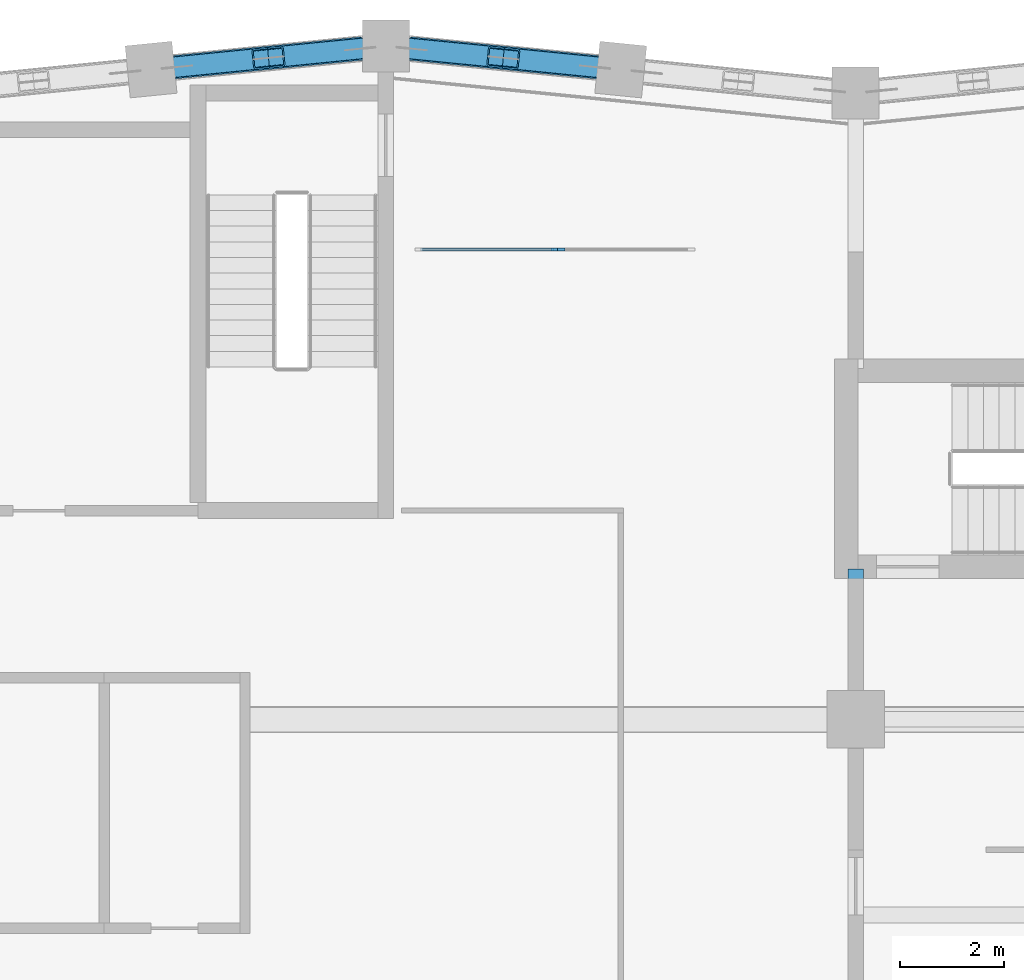
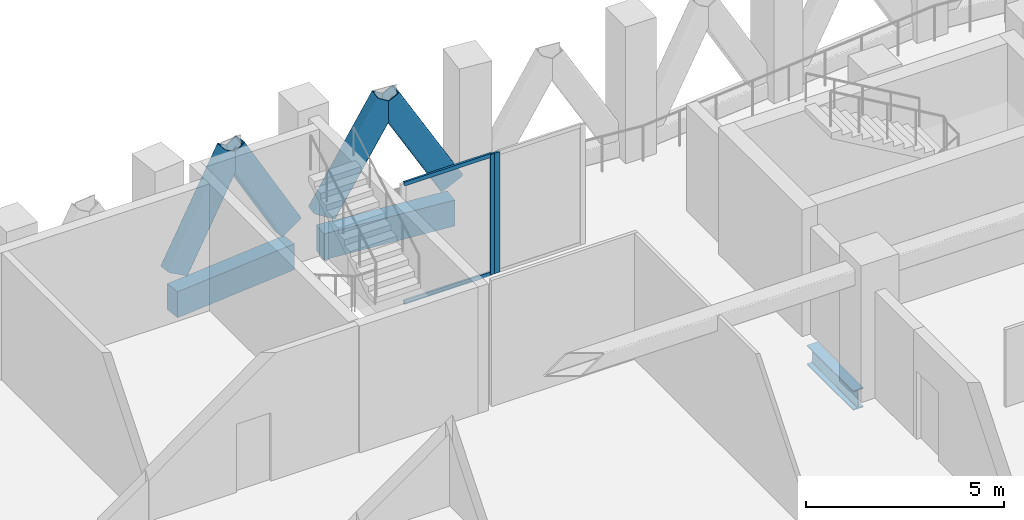
# One storey, part 6 of 18: 8 members, 3 beams, 2 elements without a shape of their own.
"""IFC4 building model written with IfcOpenShell, lengths in metres."""

from ifc_helpers import new_model, si_unit, direction, frame, origin, origin_2d, place, context, subcontext, project, spatial, rectangle, hollow_rectangle, i_section, extrude, material, material_profile, profile_set, type_object, element, aggregate, save


model = new_model("IFC4")

# Units and contexts
model_context = context("Model", 3, precision=1e-05, world=origin(), true_north=direction((0.0, 1.0)))
body_context = subcontext(model_context, "Body", "Model", "MODEL_VIEW")
ifc_project = project(units=[si_unit("LENGTHUNIT", "METRE"), si_unit("AREAUNIT", "SQUARE_METRE"), si_unit("VOLUMEUNIT", "CUBIC_METRE"), si_unit("PLANEANGLEUNIT", "RADIAN"), si_unit("MASSUNIT", "GRAM", prefix="KILO")], contexts=[model_context])

# Site, building, storey
site_placement = place(None, origin())
site = spatial("IfcSite", under=ifc_project, at=site_placement, CompositionType="ELEMENT")
building_placement = place(site_placement, origin())
building = spatial("IfcBuilding", under=site, at=building_placement, Name="Brondeck Convention Tower", CompositionType="ELEMENT")
storey_placement = place(building_placement, frame((0.0, 0.0, 248.199951171875)))
storey = spatial("IfcBuildingStorey", under=building, at=storey_placement, Name="L61", CompositionType="ELEMENT", Elevation=248.199951171875)

# Curtain wall, member
ifc_material_1 = material(Name="Aluminium, bronze anodised", Category="aluminium")
curtain_wall_type = type_object("IfcCurtainWallType", Name="Band enclosure curtain wall", PredefinedType="NOTDEFINED", material=ifc_material_1)
curtain_wall_1_placement = place(storey_placement, origin())
curtain_wall_1 = element("IfcCurtainWall", 1, at=curtain_wall_1_placement, inside=storey, type_object=curtain_wall_type, Name="ENV-L61-001-CW50", PredefinedType="NOTDEFINED")
ifc_material_profile_1 = material_profile(ifc_material_1, rectangle(XDim=0.06005859375, YDim=0.14990234375, at=origin_2d()), Name="CW5 mullion")
ifc_profile_set_1 = profile_set([ifc_material_profile_1], Name="Aluminium, bronze anodised")
member_type_1 = type_object("IfcMemberType", Name="CW5 mullion", PredefinedType="MULLION", material=ifc_profile_set_1)
member_1_placement = place(storey_placement, frame((30.360107421875, 60.0, 0.0), z_axis=(0.0, 0.0, 1.0), x_axis=(0.0, 1.0, 0.0)))
member_1 = element("IfcMember", 2, at=member_1_placement, type_object=member_type_1, Name="CW5 mullion 1", PredefinedType="MULLION", context=body_context, shape_type="SweptSolid", body=[
    extrude(rectangle(XDim=0.06005859375, YDim=0.14990234375, at=origin_2d()), origin(), (0.0, 0.0, 1.0), 3.699951171875),
])
aggregate(curtain_wall_1, [member_1])

# Curtain wall, members
curtain_wall_2_placement = place(storey_placement, origin())
curtain_wall_2 = element("IfcCurtainWall", 3, at=curtain_wall_2_placement, inside=storey, type_object=curtain_wall_type, Name="ENV-L61-001-CW51", PredefinedType="NOTDEFINED")
member_2_placement = place(storey_placement, frame((30.239990234375, 60.0, 0.0), z_axis=(0.0, 0.0, 1.0), x_axis=(0.0, 1.0, 0.0)))
member_2 = element("IfcMember", 4, at=member_2_placement, type_object=member_type_1, Name="CW5 mullion 2", PredefinedType="MULLION", context=body_context, shape_type="SweptSolid", body=[
    extrude(rectangle(XDim=0.06005859375, YDim=0.14990234375, at=origin_2d()), origin(), (0.0, 0.0, 1.0), 3.699951171875),
])
ifc_material_profile_2 = material_profile(ifc_material_1, rectangle(XDim=0.06005859375, YDim=0.1201171875, at=origin_2d()), Name="CW5 transom")
ifc_profile_set_2 = profile_set([ifc_material_profile_2], Name="Aluminium, bronze anodised")
member_type_2 = type_object("IfcMemberType", Name="CW5 transom", PredefinedType="USERDEFINED", material=ifc_profile_set_2)
member_3_placement = place(storey_placement, frame((27.659912109375, 60.0, 0.030029296875), z_axis=(1.0, 0.0, 0.0), x_axis=(0.0, 1.0, 0.0)))
member_3 = element("IfcMember", 5, at=member_3_placement, type_object=member_type_2, Name="CW5 transom 1.1", ObjectType="TRANSOM", PredefinedType="USERDEFINED", context=body_context, shape_type="SweptSolid", body=[
    extrude(rectangle(XDim=0.06005859375, YDim=0.1201171875, at=origin_2d()), origin(), (0.0, 0.0, 1.0), 2.550048828125),
])
member_4_placement = place(storey_placement, frame((27.659912109375, 60.0, 3.670166015625), z_axis=(1.0, 0.0, 0.0), x_axis=(0.0, 1.0, 0.0)))
member_4 = element("IfcMember", 6, at=member_4_placement, type_object=member_type_2, Name="CW5 transom 1.2", ObjectType="TRANSOM", PredefinedType="USERDEFINED", context=body_context, shape_type="SweptSolid", body=[
    extrude(rectangle(XDim=0.06005859375, YDim=0.1201171875, at=origin_2d()), origin(), (0.0, 0.0, 1.0), 2.550048828125),
])
aggregate(curtain_wall_2, [member_2, member_3, member_4])

# Members
ifc_material_2 = material(Name="Steel S460", Category="steel")
ifc_material_profile_3 = material_profile(ifc_material_2, hollow_rectangle(XDim=0.39990234375, YDim=0.699951171875, WallThickness=0.030029296875, InnerFilletRadius=0.030029296875, OuterFilletRadius=0.06005859375, at=origin_2d()), Name="RHS 700x400x30")
ifc_profile_set_3 = profile_set([ifc_material_profile_3], Name="Steel S460")
member_type_3 = type_object("IfcMemberType", Name="Chevron brace RHS 700x400x30", PredefinedType="BRACE", material=ifc_profile_set_3)
for number, where, z_axis, x_axis, name in (
    (7, (31.002197265625, 63.499755859375, 0.5), (-0.497515949904, 0.049772391254, 0.866025743647), (-0.099544899705, -0.995033071281, 0.0), "Belt truss BT-61-27 diagonal"),
    (8, (27.497802734375, 63.85009765625, 0.5), (0.49751766528, -0.049703241745, 0.866028729601), (0.099407628771, 0.995046794549, 0.0), "Belt truss BT-61-27 diagonal"),
    (9, (26.502197265625, 63.85009765625, 0.5), (-0.49751766528, -0.049703241745, 0.866028729601), (0.099407628771, -0.995046794549, 0.0), "Belt truss BT-61-28 diagonal"),
    (10, (22.997802734375, 63.499755859375, 0.5), (0.497515949904, 0.049772391254, 0.866025743647), (-0.099544899705, 0.995033071281, 0.0), "Belt truss BT-61-28 diagonal"),
):
    element("IfcMember", number, at=place(storey_placement, frame(where, z_axis=z_axis, x_axis=x_axis)), inside=storey, type_object=member_type_3, Name=name, PredefinedType="BRACE", context=body_context, shape_type="SweptSolid", body=[
        extrude(hollow_rectangle(XDim=0.39990234375, YDim=0.699951171875, WallThickness=0.030029296875, InnerFilletRadius=0.030029296875, OuterFilletRadius=0.06005859375, at=origin_2d()), origin(), (0.0, 0.0, 1.0), 3.52197265625),
    ])

# Beams
ifc_material_3 = material(Name="Steel S355", Category="steel")
ifc_material_profile_4 = material_profile(ifc_material_3, i_section(OverallWidth=0.300048828125, OverallDepth=0.60009765625, WebThickness=0.015380859375, FlangeThickness=0.030029296875, FilletRadius=0.027099609375, at=origin_2d()), Name="HEB 600")
ifc_profile_set_4 = profile_set([ifc_material_profile_4], Name="Steel S355")
beam_type_1 = type_object("IfcBeamType", Name="Girder HEB 600", PredefinedType="BEAM", material=ifc_profile_set_4)
beam_placement = place(storey_placement, frame((36.0, 51.550048828125, -0.75), z_axis=(0.0, 1.0, 0.0), x_axis=(-1.0, 0.0, 0.0)))
element("IfcBeam", 11, at=beam_placement, inside=storey, type_object=beam_type_1, Name="STR-GR-L61-007", PredefinedType="BEAM", context=body_context, shape_type="SweptSolid", body=[
    extrude(i_section(OverallWidth=0.300048828125, OverallDepth=0.60009765625, WebThickness=0.015380859375, FlangeThickness=0.030029296875, FilletRadius=0.027099609375, at=origin_2d()), origin(), (0.0, 0.0, 1.0), 2.329833984375),
])
ifc_material_4 = material(Name="Concrete C50/60", Category="concrete")
ifc_material_profile_5 = material_profile(ifc_material_4, rectangle(XDim=0.449951171875, YDim=0.800048828125, at=origin_2d()), Name="Precast spandrel 450x800 Concrete C50/60")
ifc_profile_set_5 = profile_set([ifc_material_profile_5], Name="Concrete C50/60")
beam_type_2 = type_object("IfcBeamType", Name="Precast spandrel 450x800 Concrete C50/60", PredefinedType="SPANDREL", material=ifc_profile_set_5)
for number, where, z_axis, x_axis, name in (
    (12, (31.05224609375, 63.494873046875, -0.39990234375), (-0.995040528141, 0.099470334057, 0.0), (-0.099470334057, -0.995040528141, 0.0), "STR-SP-L61-027"),
    (13, (26.550048828125, 63.85498046875, -0.39990234375), (-0.995040528141, -0.099470334057, 0.0), (0.099470334057, -0.995040528141, 0.0), "STR-SP-L61-028"),
):
    element("IfcBeam", number, at=place(storey_placement, frame(where, z_axis=z_axis, x_axis=x_axis)), inside=storey, type_object=beam_type_2, Name=name, PredefinedType="SPANDREL", context=body_context, shape_type="SweptSolid", body=[
        extrude(rectangle(XDim=0.449951171875, YDim=0.800048828125, at=origin_2d()), origin(), (0.0, 0.0, 1.0), 3.620361328125),
    ])

save(model, "model.ifc")
